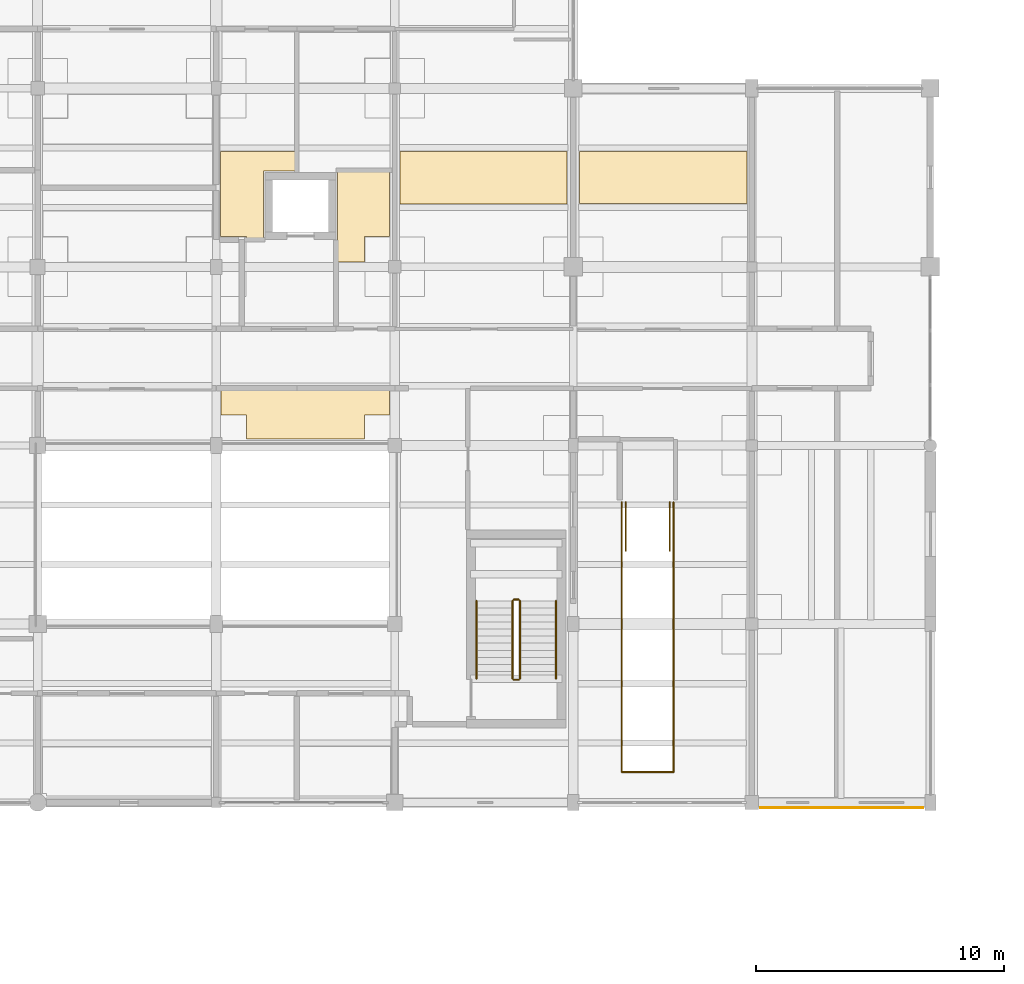
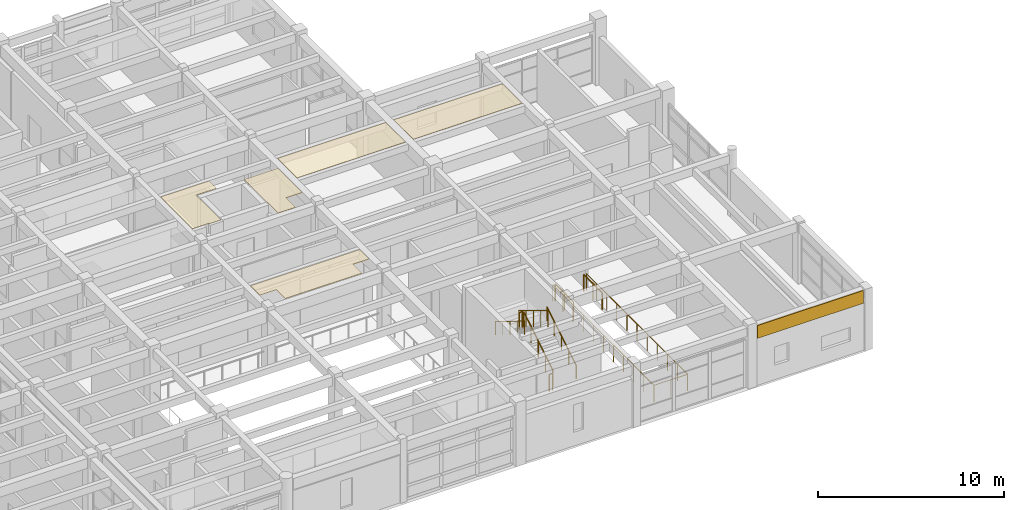
# One storey, part 109 of 110: 11 railings, 6 coverings.
"""IFC4 building model written with IfcOpenShell, lengths in metres."""

from ifc_helpers import new_model, si_unit, direction, frame, origin, origin_2d, place, context, subcontext, project, spatial, polyline, rectangle, circle, outline, extrude, material, layer, layer_set, type_object, element, save


model = new_model("IFC4")

# Units and contexts
model_context = context("Model", 3, precision=1e-05, world=origin(), true_north=direction((0.0, 1.0)))
body_context = subcontext(model_context, "Body", "Model", "MODEL_VIEW")
ifc_project = project(units=[si_unit("LENGTHUNIT", "METRE"), si_unit("AREAUNIT", "SQUARE_METRE"), si_unit("VOLUMEUNIT", "CUBIC_METRE"), si_unit("PLANEANGLEUNIT", "RADIAN"), si_unit("MASSUNIT", "GRAM", prefix="KILO")], contexts=[model_context])

# Site, building, storey
site_placement = place(None, origin())
site = spatial("IfcSite", under=ifc_project, at=site_placement, CompositionType="ELEMENT")
building_placement = place(site_placement, origin())
building = spatial("IfcBuilding", under=site, at=building_placement, Name="Steenspoor Specialist Clinic", CompositionType="ELEMENT")
storey_placement = place(building_placement, frame((0.0, 0.0, 4.800048828125)))
storey = spatial("IfcBuildingStorey", under=building, at=storey_placement, Name="L01", CompositionType="ELEMENT", Elevation=4.800048828125)

# Coverings
ifc_material_1 = material(Name="Washable acoustic mineral ceiling board", Category="gypsum")
ifc_layer_1 = layer(ifc_material_1, 0.02490234375)
ifc_layer_set_1 = layer_set([ifc_layer_1], Name="Washable acoustic mineral ceiling board")
covering_type_1 = type_object("IfcCoveringType", Name="COV-CEIL-ACOUSTIC", PredefinedType="CEILING", material=ifc_layer_set_1)
covering_1_placement = place(storey_placement, frame((0.0, 0.0, 3.925048828125)))
element("IfcCovering", 1, at=covering_1_placement, inside=storey, type_object=covering_type_1, Name="Acoustic Clinical Ceiling 125", PredefinedType="CEILING", context=body_context, shape_type="SweptSolid", body=[
    extrude(outline(polyline([(133.6201171875, 79.81494140625), (133.6201171875, 80.77001953125), (132.594970703125, 80.77001953125), (132.594970703125, 81.784912109375), (139.3798828125, 81.784912109375), (139.3798828125, 80.77001953125), (138.3798828125, 80.77001953125), (138.3798828125, 79.81494140625), (133.6201171875, 79.81494140625)])), origin(), (0.0, 0.0, 1.0), 0.02490234375),
])
covering_2_placement = place(storey_placement, frame((0.0, 0.0, 3.925048828125)))
element("IfcCovering", 2, at=covering_2_placement, inside=storey, type_object=covering_type_1, Name="Acoustic Clinical Ceiling 127", PredefinedType="CEILING", context=body_context, shape_type="SweptSolid", body=[
    extrude(outline(polyline([(137.2900390625, 87.85009765625), (137.2900390625, 90.300048828125), (137.2900390625, 90.5849609375), (139.3798828125, 90.5849609375), (139.3798828125, 87.969970703125), (138.3798828125, 87.969970703125), (138.3798828125, 86.945068359375), (137.2900390625, 86.945068359375), (137.2900390625, 87.85009765625)])), origin(), (0.0, 0.0, 1.0), 0.02490234375),
])
covering_3_placement = place(storey_placement, frame((0.0, 0.0, 3.925048828125)))
element("IfcCovering", 3, at=covering_3_placement, inside=storey, type_object=covering_type_1, Name="Acoustic Clinical Ceiling 128", PredefinedType="CEILING", context=body_context, shape_type="SweptSolid", body=[
    extrude(outline(polyline([(139.820068359375, 89.2900390625), (139.820068359375, 91.39990234375), (146.554931640625, 91.39990234375), (146.554931640625, 89.2900390625), (139.820068359375, 89.2900390625)])), origin(), (0.0, 0.0, 1.0), 0.02490234375),
])
covering_4_placement = place(storey_placement, frame((0.0, 0.0, 3.925048828125)))
element("IfcCovering", 4, at=covering_4_placement, inside=storey, type_object=covering_type_1, Name="Acoustic Clinical Ceiling 129", PredefinedType="CEILING", context=body_context, shape_type="SweptSolid", body=[
    extrude(outline(polyline([(153.804931640625, 89.300048828125), (147.044921875, 89.300048828125), (147.044921875, 91.409912109375), (153.804931640625, 91.409912109375), (153.804931640625, 89.300048828125)])), origin(), (0.0, 0.0, 1.0), 0.02490234375),
])
covering_5_placement = place(storey_placement, frame((0.0, 0.0, 3.925048828125)))
element("IfcCovering", 5, at=covering_5_placement, inside=storey, type_object=covering_type_1, Name="Acoustic Clinical Ceiling 131", PredefinedType="CEILING", context=body_context, shape_type="SweptSolid", body=[
    extrude(outline(polyline([(134.31005859375, 90.614990234375), (134.31005859375, 87.9150390625), (133.6201171875, 87.9150390625), (133.6201171875, 87.969970703125), (132.570068359375, 87.969970703125), (132.570068359375, 91.409912109375), (135.5849609375, 91.409912109375), (135.5849609375, 90.614990234375), (134.31005859375, 90.614990234375)])), origin(), (0.0, 0.0, 1.0), 0.02490234375),
])
ifc_material_2 = material(Name="Glazed ceramic relief spandrel cladding", Category="masonry")
ifc_layer_2 = layer(ifc_material_2, 0.034912109375)
ifc_layer_set_2 = layer_set([ifc_layer_2], Name="Glazed ceramic relief spandrel cladding")
covering_type_2 = type_object("IfcCoveringType", Name="COV-CLAD-CERAMIC", PredefinedType="CLADDING", material=ifc_layer_set_2)
covering_6_placement = place(storey_placement, frame((157.625, 64.93505859375, 3.11474609375), z_axis=(0.0, 0.0, 1.0), x_axis=(-1.0, 0.0, 0.0)))
element("IfcCovering", 6, at=covering_6_placement, inside=storey, type_object=covering_type_2, Name="Spandrel Cladding 84", PredefinedType="CLADDING", context=body_context, shape_type="SweptSolid", body=[
    extrude(rectangle(XDim=6.580078125, YDim=0.0400390625, at=origin_2d()), origin(), (0.0, 0.0, 1.0), 0.840087890625),
])

# Railings
ifc_material_3 = material(Name="Painted architectural steel balustrade", Category="steel")
railing_type_1 = type_object("IfcRailingType", Name="RAIL-GUARD-1100", PredefinedType="GUARDRAIL", material=ifc_material_3)
railing_1_placement = place(storey_placement, frame((144.64990234375, 70.14990234375, 0.175048828125)))
element("IfcRailing", 7, at=railing_1_placement, inside=storey, type_object=railing_type_1, Name="L01 ST-V6B stair guard 1", PredefinedType="GUARDRAIL", context=body_context, shape_type="SweptSolid", body=[
    extrude(circle(Radius=0.02392578125, at=origin_2d()), frame((0.0, 0.0, 1.076171875), z_axis=(0.0, 0.852195625947, 0.523223293744), x_axis=(-1.0, 0.0, 0.0)), (0.0, 0.0, 1.0), 3.6787109375),
    extrude(circle(Radius=0.02099609375, at=origin_2d()), origin(), (0.0, 0.0, 1.0), 1.052001953125),
    extrude(circle(Radius=0.02099609375, at=origin_2d()), frame((0.0, 0.78369140625, 0.481201171875)), (0.0, 0.0, 1.0), 1.052001953125),
    extrude(circle(Radius=0.02099609375, at=origin_2d()), frame((0.0, 1.5673828125, 0.96240234375)), (0.0, 0.0, 1.0), 1.052001953125),
    extrude(circle(Radius=0.02099609375, at=origin_2d()), frame((0.0, 2.351318359375, 1.443603515625)), (0.0, 0.0, 1.0), 1.052001953125),
    extrude(circle(Radius=0.02099609375, at=origin_2d()), frame((0.0, 3.135009765625, 1.9248046875)), (0.0, 0.0, 1.0), 1.052001953125),
])
railing_2_placement = place(storey_placement, frame((144.60009765625, 73.3349609375, 2.099853515625)))
element("IfcRailing", 8, at=railing_2_placement, inside=storey, type_object=railing_type_1, Name="L01 ST-V6B stair guard 2", PredefinedType="GUARDRAIL", context=body_context, shape_type="SweptSolid", body=[
    extrude(circle(Radius=0.02392578125, at=origin_2d()), frame((0.0, 0.0, 1.076171875), z_axis=(-1.0, 0.0, 0.0), x_axis=(0.0, -1.0, 0.0)), (0.0, 0.0, 1.0), 0.2001953125),
    extrude(circle(Radius=0.02099609375, at=origin_2d()), origin(), (0.0, 0.0, 1.0), 1.052001953125),
    extrude(circle(Radius=0.02099609375, at=origin_2d()), frame((-0.2001953125, 0.0, 0.0)), (0.0, 0.0, 1.0), 1.052001953125),
])
railing_3_placement = place(storey_placement, frame((144.35009765625, 73.284912109375, 2.27490234375)))
element("IfcRailing", 9, at=railing_3_placement, inside=storey, type_object=railing_type_1, Name="L01 ST-V6B stair guard 3", PredefinedType="GUARDRAIL", context=body_context, shape_type="SweptSolid", body=[
    extrude(circle(Radius=0.02392578125, at=origin_2d()), frame((0.0, 0.0, 1.076171875), z_axis=(0.0, -0.852166034122, 0.523271488128), x_axis=(1.0, 0.0, 0.0)), (0.0, 0.0, 1.0), 3.678955078125),
    extrude(circle(Radius=0.02099609375, at=origin_2d()), origin(), (0.0, 0.0, 1.0), 1.052001953125),
    extrude(circle(Radius=0.02099609375, at=origin_2d()), frame((0.0, -0.78369140625, 0.481201171875)), (0.0, 0.0, 1.0), 1.052001953125),
    extrude(circle(Radius=0.02099609375, at=origin_2d()), frame((0.0, -1.5673828125, 0.96240234375)), (0.0, 0.0, 1.0), 1.052001953125),
    extrude(circle(Radius=0.02099609375, at=origin_2d()), frame((0.0, -2.351318359375, 1.44384765625)), (0.0, 0.0, 1.0), 1.052001953125),
    extrude(circle(Radius=0.02099609375, at=origin_2d()), frame((0.0, -3.135009765625, 1.925048828125)), (0.0, 0.0, 1.0), 1.052001953125),
])
railing_4_placement = place(storey_placement, frame((144.60009765625, 70.10009765625, 0.0)))
element("IfcRailing", 10, at=railing_4_placement, inside=storey, type_object=railing_type_1, Name="L01 ST-V6B stair guard 4", PredefinedType="GUARDRAIL", context=body_context, shape_type="SweptSolid", body=[
    extrude(circle(Radius=0.02392578125, at=origin_2d()), frame((0.0, 0.0, 1.076171875), z_axis=(-1.0, 0.0, 0.0), x_axis=(0.0, -1.0, 0.0)), (0.0, 0.0, 1.0), 0.2001953125),
    extrude(circle(Radius=0.02099609375, at=origin_2d()), origin(), (0.0, 0.0, 1.0), 1.052001953125),
    extrude(circle(Radius=0.02099609375, at=origin_2d()), frame((-0.2001953125, 0.0, 0.0)), (0.0, 0.0, 1.0), 1.052001953125),
])
railing_5_placement = place(storey_placement, frame((148.7548828125, 77.260009765625, 0.0)))
element("IfcRailing", 11, at=railing_5_placement, inside=storey, type_object=railing_type_1, Name="ST-F04 Well Guard W", PredefinedType="GUARDRAIL", context=body_context, shape_type="SweptSolid", body=[
    extrude(circle(Radius=0.02392578125, at=origin_2d()), frame((0.0, 0.0, 1.09619140625), z_axis=(0.0, -1.0, 0.0), x_axis=(1.0, 0.0, 0.0)), (0.0, 0.0, 1.0), 10.880126953125),
    extrude(circle(Radius=0.02099609375, at=origin_2d()), origin(), (0.0, 0.0, 1.0), 1.072021484375),
    extrude(circle(Radius=0.02099609375, at=origin_2d()), frame((0.0, -1.087890625, 0.0)), (0.0, 0.0, 1.0), 1.072021484375),
    extrude(circle(Radius=0.02099609375, at=origin_2d()), frame((0.0, -2.176025390625, 0.0)), (0.0, 0.0, 1.0), 1.072021484375),
    extrude(circle(Radius=0.02099609375, at=origin_2d()), frame((0.0, -3.26416015625, 0.0)), (0.0, 0.0, 1.0), 1.072021484375),
    extrude(circle(Radius=0.02099609375, at=origin_2d()), frame((0.0, -4.35205078125, 0.0)), (0.0, 0.0, 1.0), 1.072021484375),
    extrude(circle(Radius=0.02099609375, at=origin_2d()), frame((0.0, -5.43994140625, 0.0)), (0.0, 0.0, 1.0), 1.072021484375),
    extrude(circle(Radius=0.02099609375, at=origin_2d()), frame((0.0, -6.528076171875, 0.0)), (0.0, 0.0, 1.0), 1.072021484375),
    extrude(circle(Radius=0.02099609375, at=origin_2d()), frame((0.0, -7.615966796875, 0.0)), (0.0, 0.0, 1.0), 1.072021484375),
    extrude(circle(Radius=0.02099609375, at=origin_2d()), frame((0.0, -8.7041015625, 0.0)), (0.0, 0.0, 1.0), 1.072021484375),
    extrude(circle(Radius=0.02099609375, at=origin_2d()), frame((0.0, -9.7919921875, 0.0)), (0.0, 0.0, 1.0), 1.072021484375),
    extrude(circle(Radius=0.02099609375, at=origin_2d()), frame((0.0, -10.880126953125, 0.0)), (0.0, 0.0, 1.0), 1.072021484375),
])
railing_6_placement = place(storey_placement, frame((148.7548828125, 66.3798828125, 0.0)))
element("IfcRailing", 12, at=railing_6_placement, inside=storey, type_object=railing_type_1, Name="ST-F04 Well Guard S", PredefinedType="GUARDRAIL", context=body_context, shape_type="SweptSolid", body=[
    extrude(circle(Radius=0.02392578125, at=origin_2d()), frame((0.0, 0.0, 1.09619140625), z_axis=(1.0, 0.0, 0.0), x_axis=(0.0, 1.0, 0.0)), (0.0, 0.0, 1.0), 2.090087890625),
    extrude(circle(Radius=0.02099609375, at=origin_2d()), origin(), (0.0, 0.0, 1.0), 1.072021484375),
    extrude(circle(Radius=0.02099609375, at=origin_2d()), frame((1.044921875, 0.0, 0.0)), (0.0, 0.0, 1.0), 1.072021484375),
    extrude(circle(Radius=0.02099609375, at=origin_2d()), frame((2.090087890625, 0.0, 0.0)), (0.0, 0.0, 1.0), 1.072021484375),
])
railing_7_placement = place(storey_placement, frame((150.844970703125, 66.3798828125, 0.0)))
element("IfcRailing", 13, at=railing_7_placement, inside=storey, type_object=railing_type_1, Name="ST-F04 Well Guard E", PredefinedType="GUARDRAIL", context=body_context, shape_type="SweptSolid", body=[
    extrude(circle(Radius=0.02392578125, at=origin_2d()), frame((0.0, 0.0, 1.09619140625), z_axis=(0.0, 1.0, 0.0), x_axis=(-1.0, 0.0, 0.0)), (0.0, 0.0, 1.0), 10.880126953125),
    extrude(circle(Radius=0.02099609375, at=origin_2d()), origin(), (0.0, 0.0, 1.0), 1.072021484375),
    extrude(circle(Radius=0.02099609375, at=origin_2d()), frame((0.0, 1.087890625, 0.0)), (0.0, 0.0, 1.0), 1.072021484375),
    extrude(circle(Radius=0.02099609375, at=origin_2d()), frame((0.0, 2.176025390625, 0.0)), (0.0, 0.0, 1.0), 1.072021484375),
    extrude(circle(Radius=0.02099609375, at=origin_2d()), frame((0.0, 3.26416015625, 0.0)), (0.0, 0.0, 1.0), 1.072021484375),
    extrude(circle(Radius=0.02099609375, at=origin_2d()), frame((0.0, 4.35205078125, 0.0)), (0.0, 0.0, 1.0), 1.072021484375),
    extrude(circle(Radius=0.02099609375, at=origin_2d()), frame((0.0, 5.43994140625, 0.0)), (0.0, 0.0, 1.0), 1.072021484375),
    extrude(circle(Radius=0.02099609375, at=origin_2d()), frame((0.0, 6.528076171875, 0.0)), (0.0, 0.0, 1.0), 1.072021484375),
    extrude(circle(Radius=0.02099609375, at=origin_2d()), frame((0.0, 7.615966796875, 0.0)), (0.0, 0.0, 1.0), 1.072021484375),
    extrude(circle(Radius=0.02099609375, at=origin_2d()), frame((0.0, 8.7041015625, 0.0)), (0.0, 0.0, 1.0), 1.072021484375),
    extrude(circle(Radius=0.02099609375, at=origin_2d()), frame((0.0, 9.7919921875, 0.0)), (0.0, 0.0, 1.0), 1.072021484375),
    extrude(circle(Radius=0.02099609375, at=origin_2d()), frame((0.0, 10.880126953125, 0.0)), (0.0, 0.0, 1.0), 1.072021484375),
])
for number, where, name in (
    (14, (148.9150390625, 75.300048828125, 0.0), "ST-F04 Well Guard LW"),
    (15, (150.68505859375, 75.300048828125, 0.0), "ST-F04 Well Guard LE"),
):
    element("IfcRailing", number, at=place(storey_placement, frame(where)), inside=storey, type_object=railing_type_1, Name=name, PredefinedType="GUARDRAIL", context=body_context, shape_type="SweptSolid", body=[
        extrude(circle(Radius=0.02392578125, at=origin_2d()), frame((0.0, 0.0, 1.09619140625), z_axis=(0.0, 1.0, 0.0), x_axis=(-1.0, 0.0, 0.0)), (0.0, 0.0, 1.0), 1.9599609375),
        extrude(circle(Radius=0.02099609375, at=origin_2d()), origin(), (0.0, 0.0, 1.0), 1.072021484375),
        extrude(circle(Radius=0.02099609375, at=origin_2d()), frame((0.0, 0.97998046875, 0.0)), (0.0, 0.0, 1.0), 1.072021484375),
        extrude(circle(Radius=0.02099609375, at=origin_2d()), frame((0.0, 1.9599609375, 0.0)), (0.0, 0.0, 1.0), 1.072021484375),
    ])
ifc_material_4 = material(Name="Brushed stainless steel clinical handrail", Category="steel")
railing_type_2 = type_object("IfcRailingType", Name="RAIL-HAND-900", PredefinedType="HANDRAIL", material=ifc_material_4)
railing_8_placement = place(storey_placement, frame((146.10009765625, 70.14990234375, 0.175048828125)))
element("IfcRailing", 16, at=railing_8_placement, inside=storey, type_object=railing_type_2, Name="L01 ST-V6B stair handrail 1", PredefinedType="HANDRAIL", context=body_context, shape_type="SweptSolid", body=[
    extrude(circle(Radius=0.02392578125, at=origin_2d()), frame((0.0, 0.0, 0.8759765625), z_axis=(0.0, 0.852195625947, 0.523223293744), x_axis=(-1.0, 0.0, 0.0)), (0.0, 0.0, 1.0), 3.6787109375),
    extrude(circle(Radius=0.02099609375, at=origin_2d()), origin(), (0.0, 0.0, 1.0), 0.851806640625),
    extrude(circle(Radius=0.02099609375, at=origin_2d()), frame((0.0, 0.78369140625, 0.481201171875)), (0.0, 0.0, 1.0), 0.851806640625),
    extrude(circle(Radius=0.02099609375, at=origin_2d()), frame((0.0, 1.5673828125, 0.96240234375)), (0.0, 0.0, 1.0), 0.851806640625),
    extrude(circle(Radius=0.02099609375, at=origin_2d()), frame((0.0, 2.351318359375, 1.443603515625)), (0.0, 0.0, 1.0), 0.851806640625),
    extrude(circle(Radius=0.02099609375, at=origin_2d()), frame((0.0, 3.135009765625, 1.9248046875)), (0.0, 0.0, 1.0), 0.851806640625),
])
railing_9_placement = place(storey_placement, frame((142.89990234375, 73.284912109375, 2.27490234375)))
element("IfcRailing", 17, at=railing_9_placement, inside=storey, type_object=railing_type_2, Name="L01 ST-V6B stair handrail 2", PredefinedType="HANDRAIL", context=body_context, shape_type="SweptSolid", body=[
    extrude(circle(Radius=0.02392578125, at=origin_2d()), frame((0.0, 0.0, 0.8759765625), z_axis=(0.0, -0.852166034122, 0.523271488128), x_axis=(1.0, 0.0, 0.0)), (0.0, 0.0, 1.0), 3.678955078125),
    extrude(circle(Radius=0.02099609375, at=origin_2d()), origin(), (0.0, 0.0, 1.0), 0.851806640625),
    extrude(circle(Radius=0.02099609375, at=origin_2d()), frame((0.0, -0.78369140625, 0.481201171875)), (0.0, 0.0, 1.0), 0.851806640625),
    extrude(circle(Radius=0.02099609375, at=origin_2d()), frame((0.0, -1.5673828125, 0.96240234375)), (0.0, 0.0, 1.0), 0.851806640625),
    extrude(circle(Radius=0.02099609375, at=origin_2d()), frame((0.0, -2.351318359375, 1.44384765625)), (0.0, 0.0, 1.0), 0.851806640625),
    extrude(circle(Radius=0.02099609375, at=origin_2d()), frame((0.0, -3.135009765625, 1.925048828125)), (0.0, 0.0, 1.0), 0.851806640625),
])

save(model, "model.ifc")
